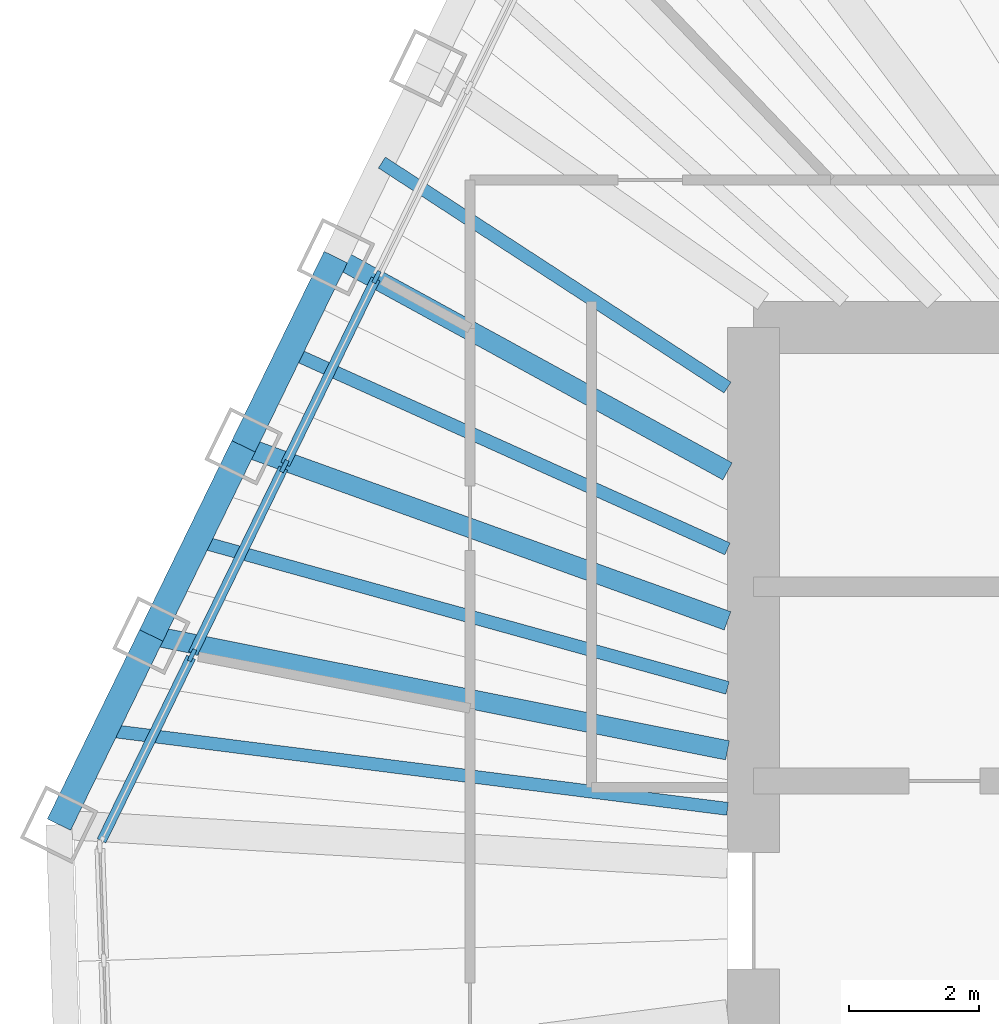
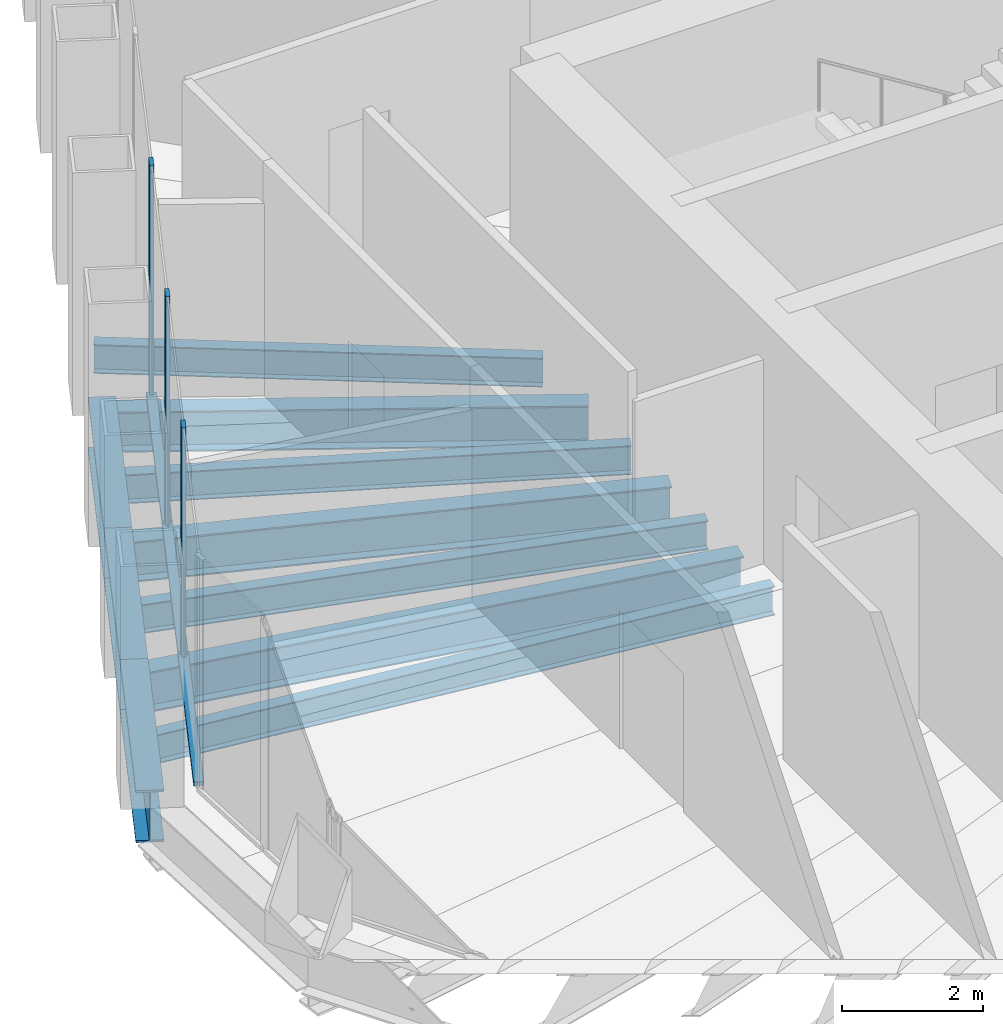
# One storey, part 4 of 14: 10 beams, 6 members, 1 element without a shape of its own.
"""IFC4 building model written with IfcOpenShell, lengths in metres."""

from ifc_helpers import new_model, si_unit, direction, frame, origin, origin_2d, place, context, subcontext, project, spatial, rectangle, i_section, extrude, material, material_profile, profile_set, type_object, element, aggregate, save


model = new_model("IFC4")

# Units and contexts
model_context = context("Model", 3, precision=1e-05, world=origin(), true_north=direction((0.0, 1.0)))
body_context = subcontext(model_context, "Body", "Model", "MODEL_VIEW")
ifc_project = project(units=[si_unit("LENGTHUNIT", "METRE"), si_unit("AREAUNIT", "SQUARE_METRE"), si_unit("VOLUMEUNIT", "CUBIC_METRE"), si_unit("PLANEANGLEUNIT", "RADIAN"), si_unit("MASSUNIT", "GRAM", prefix="KILO")], contexts=[model_context])

# Site, building, storey
site_placement = place(None, origin())
site = spatial("IfcSite", under=ifc_project, at=site_placement, CompositionType="ELEMENT")
building_placement = place(site_placement, origin())
building = spatial("IfcBuilding", under=site, at=building_placement, Name="Qingtian Harvest Tower", CompositionType="ELEMENT")
storey_placement = place(building_placement, frame((0.0, 0.0, 308.199951171875)))
storey = spatial("IfcBuildingStorey", under=building, at=storey_placement, Name="L68", CompositionType="ELEMENT", Elevation=308.199951171875)

# Beams
ifc_material_1 = material(Name="Steel SN490B", Category="steel")
ifc_material_profile_1 = material_profile(ifc_material_1, i_section(OverallWidth=0.300048828125, OverallDepth=0.699951171875, WebThickness=0.012939453125, FlangeThickness=0.02392578125, at=origin_2d()), Name="H700x300x13x24")
ifc_profile_set_1 = profile_set([ifc_material_profile_1], Name="Steel SN490B")
beam_type_1 = type_object("IfcBeamType", Name="Floor beam FB4 H700x300x13x24", PredefinedType="BEAM", material=ifc_profile_set_1)
beam_1_placement = place(storey_placement, frame((-21.29345703125, 4.246337890625, -0.52001953125), z_axis=(0.980692343585, -0.195556966723, 0.0), x_axis=(0.195556966723, 0.980692343585, 0.0)))
element("IfcBeam", 1, at=beam_1_placement, inside=storey, type_object=beam_type_1, Name="Floor beam FB4 NW1", PredefinedType="BEAM", context=body_context, shape_type="SweptSolid", body=[
    extrude(i_section(OverallWidth=0.300048828125, OverallDepth=0.699951171875, WebThickness=0.012939453125, FlangeThickness=0.02392578125, at=origin_2d()), origin(), (0.0, 0.0, 1.0), 9.068603515625),
])
beam_2_placement = place(storey_placement, frame((-19.86962890625, 7.165771484375, -0.52001953125), z_axis=(0.940696778834, -0.339248537641, 0.0), x_axis=(0.339248537641, 0.940696778834, 0.0)))
element("IfcBeam", 2, at=beam_2_placement, inside=storey, type_object=beam_type_1, Name="Floor beam FB4 NW2", PredefinedType="BEAM", context=body_context, shape_type="SweptSolid", body=[
    extrude(i_section(OverallWidth=0.300048828125, OverallDepth=0.699951171875, WebThickness=0.012939453125, FlangeThickness=0.02392578125, at=origin_2d()), origin(), (0.0, 0.0, 1.0), 7.940673828125),
])
beam_3_placement = place(storey_placement, frame((-18.44580078125, 10.0849609375, -0.52001953125), z_axis=(0.877427999734, -0.479708354402, 0.0), x_axis=(0.479708354402, 0.877427999734, 0.0)))
element("IfcBeam", 3, at=beam_3_placement, inside=storey, type_object=beam_type_1, Name="Floor beam FB4 NW3", PredefinedType="BEAM", context=body_context, shape_type="SweptSolid", body=[
    extrude(i_section(OverallWidth=0.300048828125, OverallDepth=0.699951171875, WebThickness=0.012939453125, FlangeThickness=0.02392578125, at=origin_2d()), origin(), (0.0, 0.0, 1.0), 6.890380859375),
])
ifc_material_2 = material(Name="Steel SN490B", Category="steel")
ifc_material_profile_2 = material_profile(ifc_material_2, i_section(OverallWidth=0.199951171875, OverallDepth=0.5, WebThickness=0.010009765625, FlangeThickness=0.01611328125, at=origin_2d()), Name="H500x200x10x16")
ifc_profile_set_2 = profile_set([ifc_material_profile_2], Name="Steel SN490B")
beam_type_2 = type_object("IfcBeamType", Name="Floor joist J3 H500x200x10x16", PredefinedType="JOIST", material=ifc_profile_set_2)
beam_4_placement = place(storey_placement, frame((-22.00537109375, 2.78662109375, -0.419921875), z_axis=(0.992077984062, -0.125623538954, 0.0), x_axis=(0.125623538954, 0.992077984062, 0.0)))
element("IfcBeam", 4, at=beam_4_placement, inside=storey, type_object=beam_type_2, Name="Floor joist J3 NW0", PredefinedType="JOIST", context=body_context, shape_type="SweptSolid", body=[
    extrude(i_section(OverallWidth=0.199951171875, OverallDepth=0.5, WebThickness=0.010009765625, FlangeThickness=0.01611328125, at=origin_2d()), origin(), (0.0, 0.0, 1.0), 9.68212890625),
])
beam_5_placement = place(storey_placement, frame((-20.58154296875, 5.7060546875, -0.419921875), z_axis=(0.963650445063, -0.267166277306, 0.0), x_axis=(0.267166277306, 0.963650445063, 0.0)))
element("IfcBeam", 5, at=beam_5_placement, inside=storey, type_object=beam_type_2, Name="Floor joist J3 NW1", PredefinedType="JOIST", context=body_context, shape_type="SweptSolid", body=[
    extrude(i_section(OverallWidth=0.199951171875, OverallDepth=0.5, WebThickness=0.010009765625, FlangeThickness=0.01611328125, at=origin_2d()), origin(), (0.0, 0.0, 1.0), 8.490234375),
])
beam_6_placement = place(storey_placement, frame((-19.15771484375, 8.625244140625, -0.419921875), z_axis=(0.911847523905, -0.410529040567, 0.0), x_axis=(0.410529040567, 0.911847523905, 0.0)))
element("IfcBeam", 6, at=beam_6_placement, inside=storey, type_object=beam_type_2, Name="Floor joist J3 NW2", PredefinedType="JOIST", context=body_context, shape_type="SweptSolid", body=[
    extrude(i_section(OverallWidth=0.199951171875, OverallDepth=0.5, WebThickness=0.010009765625, FlangeThickness=0.01611328125, at=origin_2d()), origin(), (0.0, 0.0, 1.0), 7.4111328125),
])
beam_7_placement = place(storey_placement, frame((-17.73388671875, 11.544677734375, -0.419921875), z_axis=(0.83806130614, -0.545576069079, 0.0), x_axis=(0.545576069079, 0.83806130614, 0.0)))
element("IfcBeam", 7, at=beam_7_placement, inside=storey, type_object=beam_type_2, Name="Floor joist J3 NW3", PredefinedType="JOIST", context=body_context, shape_type="SweptSolid", body=[
    extrude(i_section(OverallWidth=0.199951171875, OverallDepth=0.5, WebThickness=0.010009765625, FlangeThickness=0.01611328125, at=origin_2d()), origin(), (0.0, 0.0, 1.0), 6.36474609375),
])

# Curtain wall, members
ifc_material_3 = material(Name="Bronze-anodised aluminium curtain wall", Category="aluminium")
curtain_wall_type = type_object("IfcCurtainWallType", Name="Curtain wall CW5 upper office", PredefinedType="USERDEFINED", material=ifc_material_3)
curtain_wall_placement = place(storey_placement, origin())
curtain_wall = element("IfcCurtainWall", 8, at=curtain_wall_placement, inside=storey, type_object=curtain_wall_type, Name="Curtain wall CW5 L68 NW0-5", ObjectType="RECESSED CURTAIN WALL", PredefinedType="USERDEFINED")
ifc_material_4 = material(Name="Bronze-anodised aluminium mullion", Category="aluminium")
ifc_material_profile_3 = material_profile(ifc_material_4, rectangle(XDim=0.06494140625, YDim=0.199951171875, at=origin_2d()), Name="AL 65x200")
ifc_profile_set_3 = profile_set([ifc_material_profile_3], Name="Bronze-anodised aluminium mullion")
member_type_1 = type_object("IfcMemberType", Name="Mullion CWM 65x200", PredefinedType="MULLION", material=ifc_profile_set_3)
member_1_placement = place(storey_placement, frame((-20.664306640625, 3.939453125, 0.0), z_axis=(0.0, 0.0, 1.0), x_axis=(-0.898794046299, 0.438371146789, 0.0)))
member_1 = element("IfcMember", 9, at=member_1_placement, type_object=member_type_1, Name="CW5 mullion 2", PredefinedType="MULLION", context=body_context, shape_type="SweptSolid", body=[
    extrude(rectangle(XDim=0.06494140625, YDim=0.199951171875, at=origin_2d()), origin(), (0.0, 0.0, 1.0), 4.030029296875),
])
member_2_placement = place(storey_placement, frame((-19.240478515625, 6.85888671875, 0.0), z_axis=(0.0, 0.0, 1.0), x_axis=(-0.898794046299, 0.438371146789, 0.0)))
member_2 = element("IfcMember", 10, at=member_2_placement, type_object=member_type_1, Name="CW5 mullion 3", PredefinedType="MULLION", context=body_context, shape_type="SweptSolid", body=[
    extrude(rectangle(XDim=0.06494140625, YDim=0.199951171875, at=origin_2d()), origin(), (0.0, 0.0, 1.0), 4.030029296875),
])
member_3_placement = place(storey_placement, frame((-17.816650390625, 9.778076171875, 0.0), z_axis=(0.0, 0.0, 1.0), x_axis=(-0.898794046299, 0.438371146789, 0.0)))
member_3 = element("IfcMember", 11, at=member_3_placement, type_object=member_type_1, Name="CW5 mullion 4", PredefinedType="MULLION", context=body_context, shape_type="SweptSolid", body=[
    extrude(rectangle(XDim=0.06494140625, YDim=0.199951171875, at=origin_2d()), origin(), (0.0, 0.0, 1.0), 4.030029296875),
])

# Beams
ifc_material_5 = material(Name="Steel SN490B", Category="steel")
ifc_material_profile_4 = material_profile(ifc_material_5, i_section(OverallWidth=0.39990234375, OverallDepth=0.89990234375, WebThickness=0.01904296875, FlangeThickness=0.035888671875, at=origin_2d()), Name="H900x400x19x36")
ifc_profile_set_4 = profile_set([ifc_material_profile_4], Name="Steel SN490B")
beam_type_3 = type_object("IfcBeamType", Name="Spandrel beam SB4 H900x400x19x36", PredefinedType="SPANDREL", material=ifc_profile_set_4)
beam_8_placement = place(storey_placement, frame((-22.71728515625, 1.3271484375, -0.449951171875), z_axis=(0.438382164311, 0.898788672611, 0.0), x_axis=(-0.898788672611, 0.438382164311, 0.0)))
element("IfcBeam", 12, at=beam_8_placement, inside=storey, type_object=beam_type_3, Name="Spandrel SB4 NW0", PredefinedType="SPANDREL", context=body_context, shape_type="SweptSolid", body=[
    extrude(i_section(OverallWidth=0.39990234375, OverallDepth=0.89990234375, WebThickness=0.01904296875, FlangeThickness=0.035888671875, at=origin_2d()), origin(), (0.0, 0.0, 1.0), 3.247802734375),
])
beam_9_placement = place(storey_placement, frame((-21.29345703125, 4.246337890625, -0.449951171875), z_axis=(0.438352548749, 0.898803116931, 0.0), x_axis=(-0.898803116931, 0.438352548749, 0.0)))
element("IfcBeam", 13, at=beam_9_placement, inside=storey, type_object=beam_type_3, Name="Spandrel SB4 NW1", PredefinedType="SPANDREL", context=body_context, shape_type="SweptSolid", body=[
    extrude(i_section(OverallWidth=0.39990234375, OverallDepth=0.89990234375, WebThickness=0.01904296875, FlangeThickness=0.035888671875, at=origin_2d()), origin(), (0.0, 0.0, 1.0), 3.248046875),
])
beam_10_placement = place(storey_placement, frame((-19.86962890625, 7.165771484375, -0.449951171875), z_axis=(0.438382164311, 0.898788672611, 0.0), x_axis=(-0.898788672611, 0.438382164311, 0.0)))
element("IfcBeam", 14, at=beam_10_placement, inside=storey, type_object=beam_type_3, Name="Spandrel SB4 NW2", PredefinedType="SPANDREL", context=body_context, shape_type="SweptSolid", body=[
    extrude(i_section(OverallWidth=0.39990234375, OverallDepth=0.89990234375, WebThickness=0.01904296875, FlangeThickness=0.035888671875, at=origin_2d()), origin(), (0.0, 0.0, 1.0), 3.247802734375),
])

# Member
ifc_material_6 = material(Name="Bronze-anodised aluminium transom", Category="aluminium")
ifc_material_profile_5 = material_profile(ifc_material_6, rectangle(XDim=0.14990234375, YDim=0.06494140625, at=origin_2d()), Name="AL 65x150")
ifc_profile_set_5 = profile_set([ifc_material_profile_5], Name="Bronze-anodised aluminium transom")
member_type_2 = type_object("IfcMemberType", Name="Transom CWT 65x150", PredefinedType="USERDEFINED", material=ifc_profile_set_5)
member_4_placement = place(storey_placement, frame((-22.059814453125, 1.07861328125, 0.032470703125), z_axis=(0.438357982629, 0.89880046677, 0.0), x_axis=(-0.89880046677, 0.438357982629, 0.0)))
member_4 = element("IfcMember", 15, at=member_4_placement, type_object=member_type_2, Name="CW5 transom 1.1", ObjectType="TRANSOM", PredefinedType="USERDEFINED", context=body_context, shape_type="SweptSolid", body=[
    extrude(rectangle(XDim=0.14990234375, YDim=0.06494140625, at=origin_2d()), origin(), (0.0, 0.0, 1.0), 3.150634765625),
])

member_5_placement = place(storey_placement, frame((-20.650146484375, 3.96875, 0.032470703125), z_axis=(0.438355626738, 0.898801615768, 0.0), x_axis=(-0.898801615768, 0.438355626738, 0.0)))
member_5 = element("IfcMember", 16, at=member_5_placement, type_object=member_type_2, Name="CW5 transom 2.1", ObjectType="TRANSOM", PredefinedType="USERDEFINED", context=body_context, shape_type="SweptSolid", body=[
    extrude(rectangle(XDim=0.14990234375, YDim=0.06494140625, at=origin_2d()), origin(), (0.0, 0.0, 1.0), 3.182861328125),
])

member_6_placement = place(storey_placement, frame((-19.226318359375, 6.887939453125, 0.032470703125), z_axis=(0.438325408134, 0.898816353091, 0.0), x_axis=(-0.898816353091, 0.438325408134, 0.0)))
member_6 = element("IfcMember", 17, at=member_6_placement, type_object=member_type_2, Name="CW5 transom 3.1", ObjectType="TRANSOM", PredefinedType="USERDEFINED", context=body_context, shape_type="SweptSolid", body=[
    extrude(rectangle(XDim=0.14990234375, YDim=0.06494140625, at=origin_2d()), origin(), (0.0, 0.0, 1.0), 3.18310546875),
])

aggregate(curtain_wall, [member_1, member_2, member_3, member_4, member_5, member_6])

save(model, "model.ifc")
